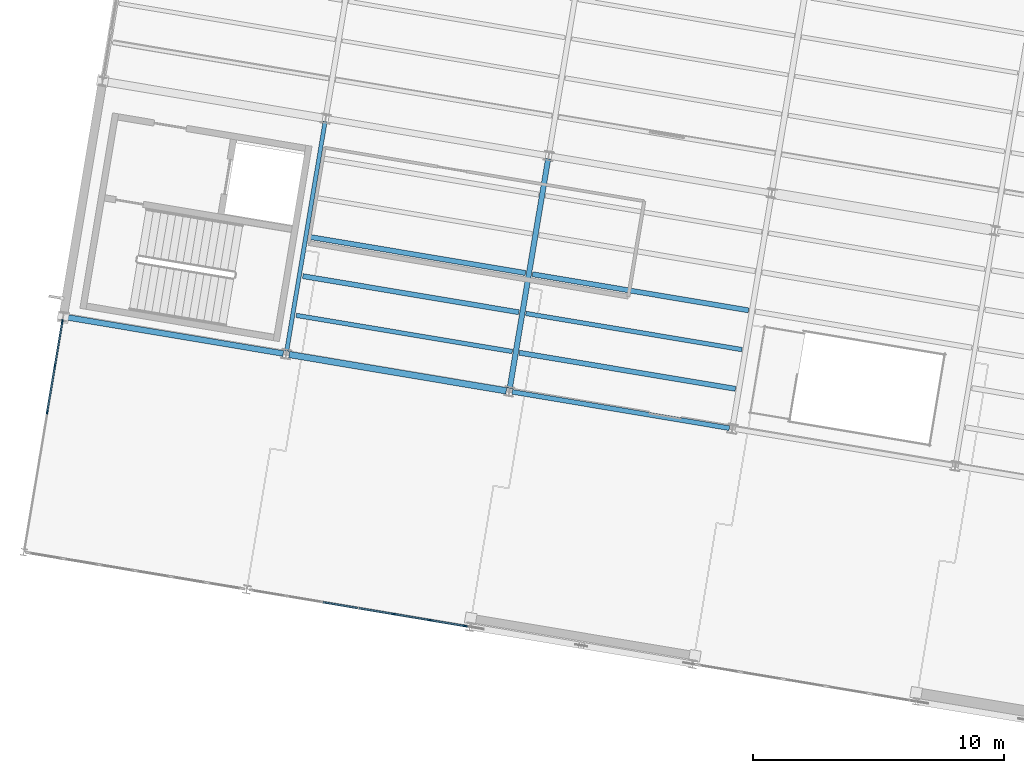
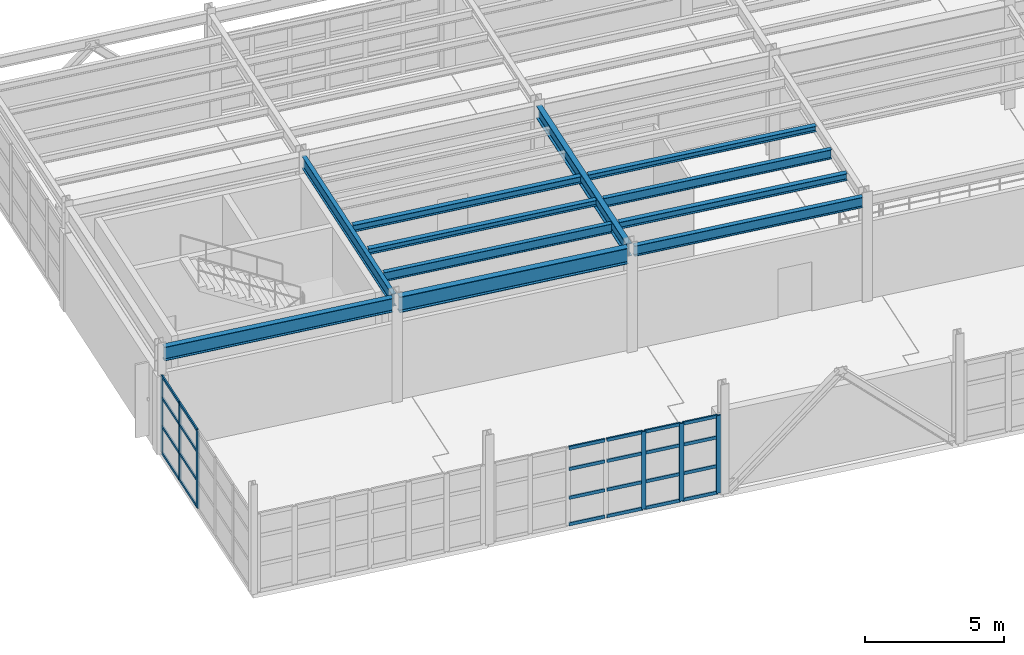
# One storey, part 39 of 102: 30 members, 11 beams, 2 elements without a shape of their own.
"""IFC4 building model written with IfcOpenShell, lengths in metres."""

from ifc_helpers import new_model, si_unit, direction, frame, origin, origin_2d, place, context, subcontext, project, spatial, rectangle, i_section, extrude, material, layer, layer_set, material_profile, profile_set, type_object, element, aggregate, save


model = new_model("IFC4")

# Units and contexts
model_context = context("Model", 3, precision=1e-05, world=origin(), true_north=direction((0.0, 1.0)))
body_context = subcontext(model_context, "Body", "Model", "MODEL_VIEW")
ifc_project = project(units=[si_unit("LENGTHUNIT", "METRE"), si_unit("AREAUNIT", "SQUARE_METRE"), si_unit("VOLUMEUNIT", "CUBIC_METRE"), si_unit("PLANEANGLEUNIT", "RADIAN"), si_unit("MASSUNIT", "GRAM", prefix="KILO")], contexts=[model_context])

# Site, building, storey
site_placement = place(None, origin())
site = spatial("IfcSite", under=ifc_project, at=site_placement, CompositionType="ELEMENT")
building_placement = place(site_placement, origin())
building = spatial("IfcBuilding", under=site, at=building_placement, Name="Vireo Bluff Cable Station", CompositionType="ELEMENT")
storey_placement = place(building_placement, frame((0.0, 0.0, 9.60009765625)))
storey = spatial("IfcBuildingStorey", under=building, at=storey_placement, Name="L02", CompositionType="ELEMENT", Elevation=9.60009765625)

# Beams
ifc_material_1 = material(Name="Steel ASTM A992 Gr. 50", Category="steel")
ifc_material_profile_1 = material_profile(ifc_material_1, i_section(OverallWidth=0.166015625, OverallDepth=0.528076171875, WebThickness=0.009765625, FlangeThickness=0.013671875, FilletRadius=0.012939453125, at=origin_2d()), Name="W21X50")
ifc_profile_set_1 = profile_set([ifc_material_profile_1], Name="Steel ASTM A992 Gr. 50")
beam_type_1 = type_object("IfcBeamType", Name="BM-W21X50", PredefinedType="BEAM", material=ifc_profile_set_1)
beam_1_placement = place(storey_placement, frame((15.96435546875, 79.502685546875, 4.27587890625), z_axis=(0.165044536891, 0.986286115102, 0.0), x_axis=(-0.986286115102, 0.165044536891, 0.0)))
element("IfcBeam", 1, at=beam_1_placement, inside=storey, type_object=beam_type_1, Name="V4 L02 beam 989", PredefinedType="BEAM", context=body_context, shape_type="SweptSolid", body=[
    extrude(i_section(OverallWidth=0.166015625, OverallDepth=0.528076171875, WebThickness=0.009765625, FlangeThickness=0.013671875, FilletRadius=0.012939453125, at=origin_2d()), origin(), (0.0, 0.0, 1.0), 9.260009765625),
])
ifc_material_profile_2 = material_profile(ifc_material_1, i_section(OverallWidth=0.214111328125, OverallDepth=0.549072265625, WebThickness=0.0146484375, FlangeThickness=0.023681640625, FilletRadius=0.012939453125, at=origin_2d()), Name="W21X93")
ifc_profile_set_2 = profile_set([ifc_material_profile_2], Name="Steel ASTM A992 Gr. 50")
beam_type_2 = type_object("IfcBeamType", Name="BM-W21X93", PredefinedType="BEAM", material=ifc_profile_set_2)
beam_2_placement = place(storey_placement, frame((24.8408203125, 78.01708984375, 4.265380859375), z_axis=(0.165044536891, 0.986286115102, 0.0), x_axis=(-0.986286115102, 0.165044536891, 0.0)))
element("IfcBeam", 2, at=beam_2_placement, inside=storey, type_object=beam_type_2, Name="V4 L02 beam 991", PredefinedType="BEAM", context=body_context, shape_type="SweptSolid", body=[
    extrude(i_section(OverallWidth=0.214111328125, OverallDepth=0.549072265625, WebThickness=0.0146484375, FlangeThickness=0.023681640625, FilletRadius=0.012939453125, at=origin_2d()), origin(), (0.0, 0.0, 1.0), 9.260009765625),
])

# Curtain wall, members
ifc_material_2 = material(Name="Anodized Aluminium 6063-T6", Category="aluminium")
ifc_layer_1 = layer(ifc_material_2, 0.179931640625, Name="Anodized Aluminium 6063-T6")
ifc_layer_set_1 = layer_set([ifc_layer_1], Name="Anodized Aluminium 6063-T6")
curtain_wall_type_1 = type_object("IfcCurtainWallType", Name="CW-UNIT-1400", PredefinedType="USERDEFINED", material=ifc_layer_set_1)
curtain_wall_1_placement = place(storey_placement, origin())
curtain_wall_1 = element("IfcCurtainWall", 3, at=curtain_wall_1_placement, inside=storey, type_object=curtain_wall_type_1, Name="V4 L02 south curtain wall CW-096", ObjectType="UNITISED CURTAIN WALL", PredefinedType="USERDEFINED")
ifc_material_profile_3 = material_profile(ifc_material_2, rectangle(XDim=0.06494140625, YDim=0.179931640625, at=origin_2d()), Name="ALU-M-65X180")
ifc_profile_set_3 = profile_set([ifc_material_profile_3], Name="Anodized Aluminium 6063-T6")
member_type_1 = type_object("IfcMemberType", Name="CWM-01", PredefinedType="MULLION", material=ifc_profile_set_3)
member_1_placement = place(storey_placement, frame((23.064697265625, 68.560546875, 0.0), z_axis=(0.0, 0.0, 1.0), x_axis=(-0.165047656366, -0.986285593085, 0.0)))
member_1 = element("IfcMember", 4, at=member_1_placement, type_object=member_type_1, Name="CW-096 mullion 1", PredefinedType="MULLION", context=body_context, shape_type="SweptSolid", body=[
    extrude(rectangle(XDim=0.06494140625, YDim=0.179931640625, at=origin_2d()), origin(), (0.0, 0.0, 1.0), 3.39990234375),
])
member_2_placement = place(storey_placement, frame((21.669189453125, 68.794189453125, 0.0), z_axis=(0.0, 0.0, 1.0), x_axis=(-0.165047656366, -0.986285593085, 0.0)))
member_2 = element("IfcMember", 5, at=member_2_placement, type_object=member_type_1, Name="CW-096 mullion 2", PredefinedType="MULLION", context=body_context, shape_type="SweptSolid", body=[
    extrude(rectangle(XDim=0.06494140625, YDim=0.179931640625, at=origin_2d()), origin(), (0.0, 0.0, 1.0), 3.39990234375),
])
member_3_placement = place(storey_placement, frame((20.241455078125, 69.033203125, 0.0), z_axis=(0.0, 0.0, 1.0), x_axis=(-0.165047656366, -0.986285593085, 0.0)))
member_3 = element("IfcMember", 6, at=member_3_placement, type_object=member_type_1, Name="CW-096 mullion 3", PredefinedType="MULLION", context=body_context, shape_type="SweptSolid", body=[
    extrude(rectangle(XDim=0.06494140625, YDim=0.179931640625, at=origin_2d()), origin(), (0.0, 0.0, 1.0), 3.39990234375),
])

ifc_layer_2 = layer(ifc_material_2, 0.159912109375, Name="Anodized Aluminium 6063-T6")
ifc_layer_set_2 = layer_set([ifc_layer_2], Name="Anodized Aluminium 6063-T6")
curtain_wall_type_2 = type_object("IfcCurtainWallType", Name="CW-STICK-1750", PredefinedType="USERDEFINED", material=ifc_layer_set_2)
curtain_wall_2_placement = place(storey_placement, origin())
curtain_wall_2 = element("IfcCurtainWall", 7, at=curtain_wall_2_placement, inside=storey, type_object=curtain_wall_type_2, Name="V4 L02 west curtain wall CW-098", ObjectType="STICK CURTAIN WALL", PredefinedType="USERDEFINED")
ifc_material_profile_4 = material_profile(ifc_material_2, rectangle(XDim=0.06005859375, YDim=0.159912109375, at=origin_2d()), Name="ALU-M-60X160")
ifc_profile_set_4 = profile_set([ifc_material_profile_4], Name="Anodized Aluminium 6063-T6")
member_type_2 = type_object("IfcMemberType", Name="CWM-03", PredefinedType="MULLION", material=ifc_profile_set_4)
member_4_placement = place(storey_placement, frame((6.433349609375, 77.077880859375, 0.0), z_axis=(0.0, 0.0, 1.0), x_axis=(-0.986285596562, 0.165047635589, 0.0)))
member_4 = element("IfcMember", 8, at=member_4_placement, type_object=member_type_2, Name="CW-098 mullion 4", PredefinedType="MULLION", context=body_context, shape_type="SweptSolid", body=[
    extrude(rectangle(XDim=0.06005859375, YDim=0.159912109375, at=origin_2d()), origin(), (0.0, 0.0, 1.0), 3.39990234375),
])
member_5_placement = place(storey_placement, frame((6.7373046875, 78.893310546875, 0.0), z_axis=(0.0, 0.0, 1.0), x_axis=(-0.986285596562, 0.165047635589, 0.0)))
member_5 = element("IfcMember", 9, at=member_5_placement, type_object=member_type_2, Name="CW-098 mullion 5", PredefinedType="MULLION", context=body_context, shape_type="SweptSolid", body=[
    extrude(rectangle(XDim=0.06005859375, YDim=0.159912109375, at=origin_2d()), origin(), (0.0, 0.0, 1.0), 3.39990234375),
])
member_6_placement = place(storey_placement, frame((7.0361328125, 80.678955078125, 0.0), z_axis=(0.0, 0.0, 1.0), x_axis=(-0.986285596562, 0.165047635589, 0.0)))
member_6 = element("IfcMember", 10, at=member_6_placement, type_object=member_type_2, Name="CW-098 mullion 6", PredefinedType="MULLION", context=body_context, shape_type="SweptSolid", body=[
    extrude(rectangle(XDim=0.06005859375, YDim=0.159912109375, at=origin_2d()), origin(), (0.0, 0.0, 1.0), 3.39990234375),
])

# Member
ifc_material_profile_5 = material_profile(ifc_material_2, rectangle(XDim=0.06494140625, YDim=0.139892578125, at=origin_2d()), Name="ALU-T-65X140")
ifc_profile_set_5 = profile_set([ifc_material_profile_5], Name="Anodized Aluminium 6063-T6")
member_type_3 = type_object("IfcMemberType", Name="CWT-01", PredefinedType="USERDEFINED", material=ifc_profile_set_5)
member_7_placement = place(storey_placement, frame((23.03271484375, 68.56591796875, 0.032470703125), z_axis=(-0.986276374104, 0.165102737359, 0.0), x_axis=(-0.165102737359, -0.986276374104, 0.0)))
member_7 = element("IfcMember", 11, at=member_7_placement, type_object=member_type_3, Name="CW-096 transom 1.1", ObjectType="TRANSOM", PredefinedType="USERDEFINED", context=body_context, shape_type="SweptSolid", body=[
    extrude(rectangle(XDim=0.06494140625, YDim=0.139892578125, at=origin_2d()), origin(), (0.0, 0.0, 1.0), 1.35009765625),
])

member_8_placement = place(storey_placement, frame((23.03271484375, 68.56591796875, 1.18994140625), z_axis=(-0.986276374104, 0.165102737359, 0.0), x_axis=(-0.165102737359, -0.986276374104, 0.0)))
member_8 = element("IfcMember", 12, at=member_8_placement, type_object=member_type_3, Name="CW-096 transom 1.2", ObjectType="TRANSOM", PredefinedType="USERDEFINED", context=body_context, shape_type="SweptSolid", body=[
    extrude(rectangle(XDim=0.06494140625, YDim=0.139892578125, at=origin_2d()), origin(), (0.0, 0.0, 1.0), 1.35009765625),
])

member_9_placement = place(storey_placement, frame((23.03271484375, 68.56591796875, 2.447998046875), z_axis=(-0.986276374104, 0.165102737359, 0.0), x_axis=(-0.165102737359, -0.986276374104, 0.0)))
member_9 = element("IfcMember", 13, at=member_9_placement, type_object=member_type_3, Name="CW-096 transom 1.3", ObjectType="TRANSOM", PredefinedType="USERDEFINED", context=body_context, shape_type="SweptSolid", body=[
    extrude(rectangle(XDim=0.06494140625, YDim=0.139892578125, at=origin_2d()), origin(), (0.0, 0.0, 1.0), 1.35009765625),
])

member_10_placement = place(storey_placement, frame((23.03271484375, 68.56591796875, 3.367431640625), z_axis=(-0.986276374104, 0.165102737359, 0.0), x_axis=(-0.165102737359, -0.986276374104, 0.0)))
member_10 = element("IfcMember", 14, at=member_10_placement, type_object=member_type_3, Name="CW-096 transom 1.4", ObjectType="TRANSOM", PredefinedType="USERDEFINED", context=body_context, shape_type="SweptSolid", body=[
    extrude(rectangle(XDim=0.06494140625, YDim=0.139892578125, at=origin_2d()), origin(), (0.0, 0.0, 1.0), 1.35009765625),
])

member_11_placement = place(storey_placement, frame((21.63720703125, 68.799560546875, 0.032470703125), z_axis=(-0.986274344137, 0.165114863343, 0.0), x_axis=(-0.165114863343, -0.986274344137, 0.0)))
member_11 = element("IfcMember", 15, at=member_11_placement, type_object=member_type_3, Name="CW-096 transom 2.1", ObjectType="TRANSOM", PredefinedType="USERDEFINED", context=body_context, shape_type="SweptSolid", body=[
    extrude(rectangle(XDim=0.06494140625, YDim=0.139892578125, at=origin_2d()), origin(), (0.0, 0.0, 1.0), 1.382568359375),
])

member_12_placement = place(storey_placement, frame((21.63720703125, 68.799560546875, 1.18994140625), z_axis=(-0.986274344137, 0.165114863343, 0.0), x_axis=(-0.165114863343, -0.986274344137, 0.0)))
member_12 = element("IfcMember", 16, at=member_12_placement, type_object=member_type_3, Name="CW-096 transom 2.2", ObjectType="TRANSOM", PredefinedType="USERDEFINED", context=body_context, shape_type="SweptSolid", body=[
    extrude(rectangle(XDim=0.06494140625, YDim=0.139892578125, at=origin_2d()), origin(), (0.0, 0.0, 1.0), 1.382568359375),
])

member_13_placement = place(storey_placement, frame((21.63720703125, 68.799560546875, 2.447998046875), z_axis=(-0.986274344137, 0.165114863343, 0.0), x_axis=(-0.165114863343, -0.986274344137, 0.0)))
member_13 = element("IfcMember", 17, at=member_13_placement, type_object=member_type_3, Name="CW-096 transom 2.3", ObjectType="TRANSOM", PredefinedType="USERDEFINED", context=body_context, shape_type="SweptSolid", body=[
    extrude(rectangle(XDim=0.06494140625, YDim=0.139892578125, at=origin_2d()), origin(), (0.0, 0.0, 1.0), 1.382568359375),
])

member_14_placement = place(storey_placement, frame((21.63720703125, 68.799560546875, 3.367431640625), z_axis=(-0.986274344137, 0.165114863343, 0.0), x_axis=(-0.165114863343, -0.986274344137, 0.0)))
member_14 = element("IfcMember", 18, at=member_14_placement, type_object=member_type_3, Name="CW-096 transom 2.4", ObjectType="TRANSOM", PredefinedType="USERDEFINED", context=body_context, shape_type="SweptSolid", body=[
    extrude(rectangle(XDim=0.06494140625, YDim=0.139892578125, at=origin_2d()), origin(), (0.0, 0.0, 1.0), 1.382568359375),
])

member_15_placement = place(storey_placement, frame((20.20947265625, 69.03857421875, 0.032470703125), z_axis=(-0.986303088001, 0.164943076847, 0.0), x_axis=(-0.164943076847, -0.986303088001, 0.0)))
member_15 = element("IfcMember", 19, at=member_15_placement, type_object=member_type_3, Name="CW-096 transom 3.1", ObjectType="TRANSOM", PredefinedType="USERDEFINED", context=body_context, shape_type="SweptSolid", body=[
    extrude(rectangle(XDim=0.06494140625, YDim=0.139892578125, at=origin_2d()), origin(), (0.0, 0.0, 1.0), 1.382568359375),
])

member_16_placement = place(storey_placement, frame((20.20947265625, 69.03857421875, 1.18994140625), z_axis=(-0.986303088001, 0.164943076847, 0.0), x_axis=(-0.164943076847, -0.986303088001, 0.0)))
member_16 = element("IfcMember", 20, at=member_16_placement, type_object=member_type_3, Name="CW-096 transom 3.2", ObjectType="TRANSOM", PredefinedType="USERDEFINED", context=body_context, shape_type="SweptSolid", body=[
    extrude(rectangle(XDim=0.06494140625, YDim=0.139892578125, at=origin_2d()), origin(), (0.0, 0.0, 1.0), 1.382568359375),
])

member_17_placement = place(storey_placement, frame((20.20947265625, 69.03857421875, 2.447998046875), z_axis=(-0.986303088001, 0.164943076847, 0.0), x_axis=(-0.164943076847, -0.986303088001, 0.0)))
member_17 = element("IfcMember", 21, at=member_17_placement, type_object=member_type_3, Name="CW-096 transom 3.3", ObjectType="TRANSOM", PredefinedType="USERDEFINED", context=body_context, shape_type="SweptSolid", body=[
    extrude(rectangle(XDim=0.06494140625, YDim=0.139892578125, at=origin_2d()), origin(), (0.0, 0.0, 1.0), 1.382568359375),
])

member_18_placement = place(storey_placement, frame((20.20947265625, 69.03857421875, 3.367431640625), z_axis=(-0.986303088001, 0.164943076847, 0.0), x_axis=(-0.164943076847, -0.986303088001, 0.0)))
member_18 = element("IfcMember", 22, at=member_18_placement, type_object=member_type_3, Name="CW-096 transom 3.4", ObjectType="TRANSOM", PredefinedType="USERDEFINED", context=body_context, shape_type="SweptSolid", body=[
    extrude(rectangle(XDim=0.06494140625, YDim=0.139892578125, at=origin_2d()), origin(), (0.0, 0.0, 1.0), 1.382568359375),
])

member_19_placement = place(storey_placement, frame((18.78173828125, 69.27734375, 0.032470703125), z_axis=(-0.986274344137, 0.165114863343, 0.0), x_axis=(-0.165114863343, -0.986274344137, 0.0)))
member_19 = element("IfcMember", 23, at=member_19_placement, type_object=member_type_3, Name="CW-096 transom 4.1", ObjectType="TRANSOM", PredefinedType="USERDEFINED", context=body_context, shape_type="SweptSolid", body=[
    extrude(rectangle(XDim=0.06494140625, YDim=0.139892578125, at=origin_2d()), origin(), (0.0, 0.0, 1.0), 1.382568359375),
])

member_20_placement = place(storey_placement, frame((18.78173828125, 69.27734375, 1.18994140625), z_axis=(-0.986274344137, 0.165114863343, 0.0), x_axis=(-0.165114863343, -0.986274344137, 0.0)))
member_20 = element("IfcMember", 24, at=member_20_placement, type_object=member_type_3, Name="CW-096 transom 4.2", ObjectType="TRANSOM", PredefinedType="USERDEFINED", context=body_context, shape_type="SweptSolid", body=[
    extrude(rectangle(XDim=0.06494140625, YDim=0.139892578125, at=origin_2d()), origin(), (0.0, 0.0, 1.0), 1.382568359375),
])

member_21_placement = place(storey_placement, frame((18.78173828125, 69.27734375, 2.447998046875), z_axis=(-0.986274344137, 0.165114863343, 0.0), x_axis=(-0.165114863343, -0.986274344137, 0.0)))
member_21 = element("IfcMember", 25, at=member_21_placement, type_object=member_type_3, Name="CW-096 transom 4.3", ObjectType="TRANSOM", PredefinedType="USERDEFINED", context=body_context, shape_type="SweptSolid", body=[
    extrude(rectangle(XDim=0.06494140625, YDim=0.139892578125, at=origin_2d()), origin(), (0.0, 0.0, 1.0), 1.382568359375),
])

member_22_placement = place(storey_placement, frame((18.78173828125, 69.27734375, 3.367431640625), z_axis=(-0.986274344137, 0.165114863343, 0.0), x_axis=(-0.165114863343, -0.986274344137, 0.0)))
member_22 = element("IfcMember", 26, at=member_22_placement, type_object=member_type_3, Name="CW-096 transom 4.4", ObjectType="TRANSOM", PredefinedType="USERDEFINED", context=body_context, shape_type="SweptSolid", body=[
    extrude(rectangle(XDim=0.06494140625, YDim=0.139892578125, at=origin_2d()), origin(), (0.0, 0.0, 1.0), 1.382568359375),
])

aggregate(curtain_wall_1, [member_1, member_2, member_3, member_7, member_8, member_9, member_10, member_11, member_12, member_13, member_14, member_15, member_16, member_17, member_18, member_19, member_20, member_21, member_22])

ifc_material_profile_6 = material_profile(ifc_material_2, rectangle(XDim=0.06005859375, YDim=0.1201171875, at=origin_2d()), Name="ALU-T-60X120")
ifc_profile_set_6 = profile_set([ifc_material_profile_6], Name="Anodized Aluminium 6063-T6")
member_type_4 = type_object("IfcMemberType", Name="CWT-03", PredefinedType="USERDEFINED", material=ifc_profile_set_6)
member_23_placement = place(storey_placement, frame((6.4384765625, 77.107421875, 0.02978515625), z_axis=(0.164954851377, 0.986301118831, 0.0), x_axis=(-0.986301118831, 0.164954851377, 0.0)))
member_23 = element("IfcMember", 27, at=member_23_placement, type_object=member_type_4, Name="CW-098 transom 4.1", ObjectType="TRANSOM", PredefinedType="USERDEFINED", context=body_context, shape_type="SweptSolid", body=[
    extrude(rectangle(XDim=0.06005859375, YDim=0.1201171875, at=origin_2d()), origin(), (0.0, 0.0, 1.0), 1.780517578125),
])

member_24_placement = place(storey_placement, frame((6.4384765625, 77.107421875, 1.18994140625), z_axis=(0.164954851377, 0.986301118831, 0.0), x_axis=(-0.986301118831, 0.164954851377, 0.0)))
member_24 = element("IfcMember", 28, at=member_24_placement, type_object=member_type_4, Name="CW-098 transom 4.2", ObjectType="TRANSOM", PredefinedType="USERDEFINED", context=body_context, shape_type="SweptSolid", body=[
    extrude(rectangle(XDim=0.06005859375, YDim=0.1201171875, at=origin_2d()), origin(), (0.0, 0.0, 1.0), 1.780517578125),
])

member_25_placement = place(storey_placement, frame((6.4384765625, 77.107421875, 2.447998046875), z_axis=(0.164954851377, 0.986301118831, 0.0), x_axis=(-0.986301118831, 0.164954851377, 0.0)))
member_25 = element("IfcMember", 29, at=member_25_placement, type_object=member_type_4, Name="CW-098 transom 4.3", ObjectType="TRANSOM", PredefinedType="USERDEFINED", context=body_context, shape_type="SweptSolid", body=[
    extrude(rectangle(XDim=0.06005859375, YDim=0.1201171875, at=origin_2d()), origin(), (0.0, 0.0, 1.0), 1.780517578125),
])

member_26_placement = place(storey_placement, frame((6.4384765625, 77.107421875, 3.369873046875), z_axis=(0.164954851377, 0.986301118831, 0.0), x_axis=(-0.986301118831, 0.164954851377, 0.0)))
member_26 = element("IfcMember", 30, at=member_26_placement, type_object=member_type_4, Name="CW-098 transom 4.4", ObjectType="TRANSOM", PredefinedType="USERDEFINED", context=body_context, shape_type="SweptSolid", body=[
    extrude(rectangle(XDim=0.06005859375, YDim=0.1201171875, at=origin_2d()), origin(), (0.0, 0.0, 1.0), 1.780517578125),
])

member_27_placement = place(storey_placement, frame((6.7421875, 78.9228515625, 0.02978515625), z_axis=(0.165009669888, 0.986291949092, 0.0), x_axis=(-0.986291949092, 0.165009669888, 0.0)))
member_27 = element("IfcMember", 31, at=member_27_placement, type_object=member_type_4, Name="CW-098 transom 5.1", ObjectType="TRANSOM", PredefinedType="USERDEFINED", context=body_context, shape_type="SweptSolid", body=[
    extrude(rectangle(XDim=0.06005859375, YDim=0.1201171875, at=origin_2d()), origin(), (0.0, 0.0, 1.0), 1.750244140625),
])

member_28_placement = place(storey_placement, frame((6.7421875, 78.9228515625, 1.18994140625), z_axis=(0.165009669888, 0.986291949092, 0.0), x_axis=(-0.986291949092, 0.165009669888, 0.0)))
member_28 = element("IfcMember", 32, at=member_28_placement, type_object=member_type_4, Name="CW-098 transom 5.2", ObjectType="TRANSOM", PredefinedType="USERDEFINED", context=body_context, shape_type="SweptSolid", body=[
    extrude(rectangle(XDim=0.06005859375, YDim=0.1201171875, at=origin_2d()), origin(), (0.0, 0.0, 1.0), 1.750244140625),
])

member_29_placement = place(storey_placement, frame((6.7421875, 78.9228515625, 2.447998046875), z_axis=(0.165009669888, 0.986291949092, 0.0), x_axis=(-0.986291949092, 0.165009669888, 0.0)))
member_29 = element("IfcMember", 33, at=member_29_placement, type_object=member_type_4, Name="CW-098 transom 5.3", ObjectType="TRANSOM", PredefinedType="USERDEFINED", context=body_context, shape_type="SweptSolid", body=[
    extrude(rectangle(XDim=0.06005859375, YDim=0.1201171875, at=origin_2d()), origin(), (0.0, 0.0, 1.0), 1.750244140625),
])

member_30_placement = place(storey_placement, frame((6.7421875, 78.9228515625, 3.369873046875), z_axis=(0.165009669888, 0.986291949092, 0.0), x_axis=(-0.986291949092, 0.165009669888, 0.0)))
member_30 = element("IfcMember", 34, at=member_30_placement, type_object=member_type_4, Name="CW-098 transom 5.4", ObjectType="TRANSOM", PredefinedType="USERDEFINED", context=body_context, shape_type="SweptSolid", body=[
    extrude(rectangle(XDim=0.06005859375, YDim=0.1201171875, at=origin_2d()), origin(), (0.0, 0.0, 1.0), 1.750244140625),
])

aggregate(curtain_wall_2, [member_4, member_5, member_6, member_23, member_24, member_25, member_26, member_27, member_28, member_29, member_30])

# Beams
ifc_material_profile_7 = material_profile(ifc_material_1, i_section(OverallWidth=0.201904296875, OverallDepth=0.2470703125, WebThickness=0.00732421875, FlangeThickness=0.010986328125, FilletRadius=0.009033203125, at=origin_2d()), Name="W10X33")
ifc_profile_set_7 = profile_set([ifc_material_profile_7], Name="Steel ASTM A992 Gr. 50")
beam_type_3 = type_object("IfcBeamType", Name="JST-W10X33", PredefinedType="JOIST", material=ifc_profile_set_7)
for number, where, z_axis, x_axis, name in (
    (35, (16.605224609375, 82.484375, 4.41650390625), (0.98628550168, -0.165048202583, 0.0), (0.165048202583, 0.98628550168, 0.0), "V4 L02 composite joist 1001"),
    (36, (25.7431640625, 82.560546875, 4.41650390625), (0.98628550168, -0.165048202583, 0.0), (0.165048202583, 0.98628550168, 0.0), "V4 L02 composite joist 1012"),
):
    element("IfcBeam", number, at=place(storey_placement, frame(where, z_axis=z_axis, x_axis=x_axis)), inside=storey, type_object=beam_type_3, Name=name, PredefinedType="JOIST", context=body_context, shape_type="SweptSolid", body=[
        extrude(i_section(OverallWidth=0.201904296875, OverallDepth=0.2470703125, WebThickness=0.00732421875, FlangeThickness=0.010986328125, FilletRadius=0.009033203125, at=origin_2d()), origin(), (0.0, 0.0, 1.0), 8.719970703125),
    ])
ifc_material_profile_8 = material_profile(ifc_material_1, i_section(OverallWidth=0.202880859375, OverallDepth=0.302978515625, WebThickness=0.007568359375, FlangeThickness=0.01318359375, FilletRadius=0.010009765625, at=origin_2d()), Name="W12X40")
ifc_profile_set_8 = profile_set([ifc_material_profile_8], Name="Steel ASTM A992 Gr. 50")
beam_type_4 = type_object("IfcBeamType", Name="JST-W12X40", PredefinedType="JOIST", material=ifc_profile_set_8)
for number, where, z_axis, x_axis, name in (
    (37, (16.86669921875, 84.046142578125, 4.388427734375), (0.98628550168, -0.165048202583, 0.0), (0.165048202583, 0.98628550168, 0.0), "V4 L02 composite joist 1002"),
    (38, (25.220458984375, 79.437255859375, 4.388427734375), (0.98628550168, -0.165048202583, 0.0), (0.165048202583, 0.98628550168, 0.0), "V4 L02 composite joist 1010"),
):
    element("IfcBeam", number, at=place(storey_placement, frame(where, z_axis=z_axis, x_axis=x_axis)), inside=storey, type_object=beam_type_4, Name=name, PredefinedType="JOIST", context=body_context, shape_type="SweptSolid", body=[
        extrude(i_section(OverallWidth=0.202880859375, OverallDepth=0.302978515625, WebThickness=0.007568359375, FlangeThickness=0.01318359375, FilletRadius=0.010009765625, at=origin_2d()), origin(), (0.0, 0.0, 1.0), 8.719970703125),
    ])
ifc_material_profile_9 = material_profile(ifc_material_1, i_section(OverallWidth=0.177978515625, OverallDepth=0.404052734375, WebThickness=0.007568359375, FlangeThickness=0.010986328125, FilletRadius=0.010009765625, at=origin_2d()), Name="W16X36")
ifc_profile_set_9 = profile_set([ifc_material_profile_9], Name="Steel ASTM A992 Gr. 50")
beam_type_5 = type_object("IfcBeamType", Name="JST-W16X36", PredefinedType="JOIST", material=ifc_profile_set_9)
for number, where, z_axis, x_axis, name in (
    (39, (16.343994140625, 80.9228515625, 4.337890625), (0.98628550168, -0.165048202583, 0.0), (0.165048202583, 0.98628550168, 0.0), "V4 L02 composite joist 1000"),
    (40, (25.48193359375, 80.9990234375, 4.337890625), (0.98628550168, -0.165048202583, 0.0), (0.165048202583, 0.98628550168, 0.0), "V4 L02 composite joist 1011"),
):
    element("IfcBeam", number, at=place(storey_placement, frame(where, z_axis=z_axis, x_axis=x_axis)), inside=storey, type_object=beam_type_5, Name=name, PredefinedType="JOIST", context=body_context, shape_type="SweptSolid", body=[
        extrude(i_section(OverallWidth=0.177978515625, OverallDepth=0.404052734375, WebThickness=0.007568359375, FlangeThickness=0.010986328125, FilletRadius=0.010009765625, at=origin_2d()), origin(), (0.0, 0.0, 1.0), 8.719970703125),
    ])
ifc_material_profile_10 = material_profile(ifc_material_1, i_section(OverallWidth=0.19091796875, OverallDepth=0.45703125, WebThickness=0.009033203125, FlangeThickness=0.014404296875, FilletRadius=0.011962890625, at=origin_2d()), Name="W18X50")
ifc_profile_set_10 = profile_set([ifc_material_profile_10], Name="Steel ASTM A992 Gr. 50")
beam_type_6 = type_object("IfcBeamType", Name="SPN-W18X50", PredefinedType="SPANDREL", material=ifc_profile_set_10)
beam_3_placement = place(storey_placement, frame((24.939453125, 77.879150390625, 4.3115234375), z_axis=(0.986285998922, -0.165045231163, 0.0), x_axis=(0.165045231163, 0.986285998922, 0.0)))
element("IfcBeam", 41, at=beam_3_placement, inside=storey, type_object=beam_type_6, Name="V4 L02 spandrel 980", PredefinedType="SPANDREL", context=body_context, shape_type="SweptSolid", body=[
    extrude(i_section(OverallWidth=0.19091796875, OverallDepth=0.45703125, WebThickness=0.009033203125, FlangeThickness=0.014404296875, FilletRadius=0.011962890625, at=origin_2d()), origin(), (0.0, 0.0, 1.0), 8.760009765625),
])
ifc_material_profile_11 = material_profile(ifc_material_1, i_section(OverallWidth=0.22802734375, OverallDepth=0.60693359375, WebThickness=0.01123046875, FlangeThickness=0.017333984375, FilletRadius=0.012939453125, at=origin_2d()), Name="W24X76")
ifc_profile_set_11 = profile_set([ifc_material_profile_11], Name="Steel ASTM A992 Gr. 50")
beam_type_7 = type_object("IfcBeamType", Name="SPN-W24X76", PredefinedType="SPANDREL", material=ifc_profile_set_11)
beam_4_placement = place(storey_placement, frame((7.186279296875, 80.849853515625, 4.236328125), z_axis=(0.986285998922, -0.165045231163, 0.0), x_axis=(0.165045231163, 0.986285998922, 0.0)))
element("IfcBeam", 42, at=beam_4_placement, inside=storey, type_object=beam_type_7, Name="V4 L02 spandrel 978", PredefinedType="SPANDREL", context=body_context, shape_type="SweptSolid", body=[
    extrude(i_section(OverallWidth=0.22802734375, OverallDepth=0.60693359375, WebThickness=0.01123046875, FlangeThickness=0.017333984375, FilletRadius=0.012939453125, at=origin_2d()), origin(), (0.0, 0.0, 1.0), 8.760009765625),
])
ifc_material_profile_12 = material_profile(ifc_material_1, i_section(OverallWidth=0.257080078125, OverallDepth=0.693115234375, WebThickness=0.014404296875, FlangeThickness=0.023681640625, FilletRadius=0.014892578125, at=origin_2d()), Name="W27X114")
ifc_profile_set_12 = profile_set([ifc_material_profile_12], Name="Steel ASTM A992 Gr. 50")
beam_type_8 = type_object("IfcBeamType", Name="SPN-W27X114", PredefinedType="SPANDREL", material=ifc_profile_set_12)
beam_5_placement = place(storey_placement, frame((16.06298828125, 79.364501953125, 4.193359375), z_axis=(0.986285239719, -0.16504976799, 0.0), x_axis=(0.16504976799, 0.986285239719, 0.0)))
element("IfcBeam", 43, at=beam_5_placement, inside=storey, type_object=beam_type_8, Name="V4 L02 spandrel 979", PredefinedType="SPANDREL", context=body_context, shape_type="SweptSolid", body=[
    extrude(i_section(OverallWidth=0.257080078125, OverallDepth=0.693115234375, WebThickness=0.014404296875, FlangeThickness=0.023681640625, FilletRadius=0.014892578125, at=origin_2d()), origin(), (0.0, 0.0, 1.0), 8.759765625),
])

save(model, "model.ifc")
